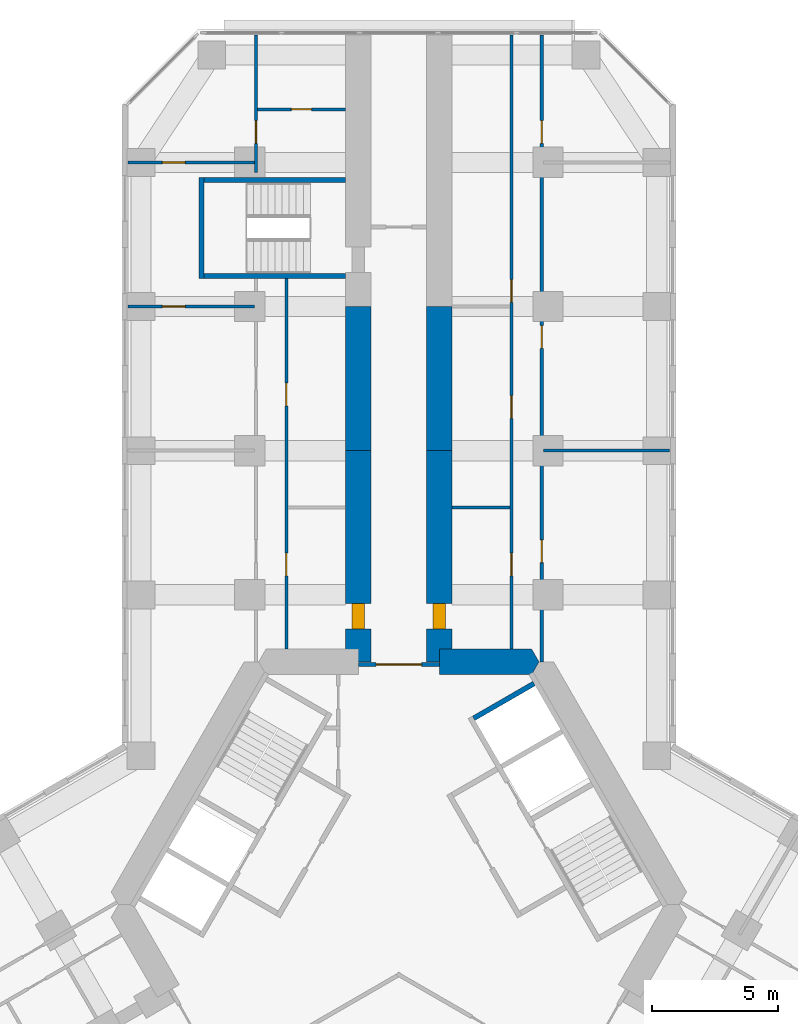
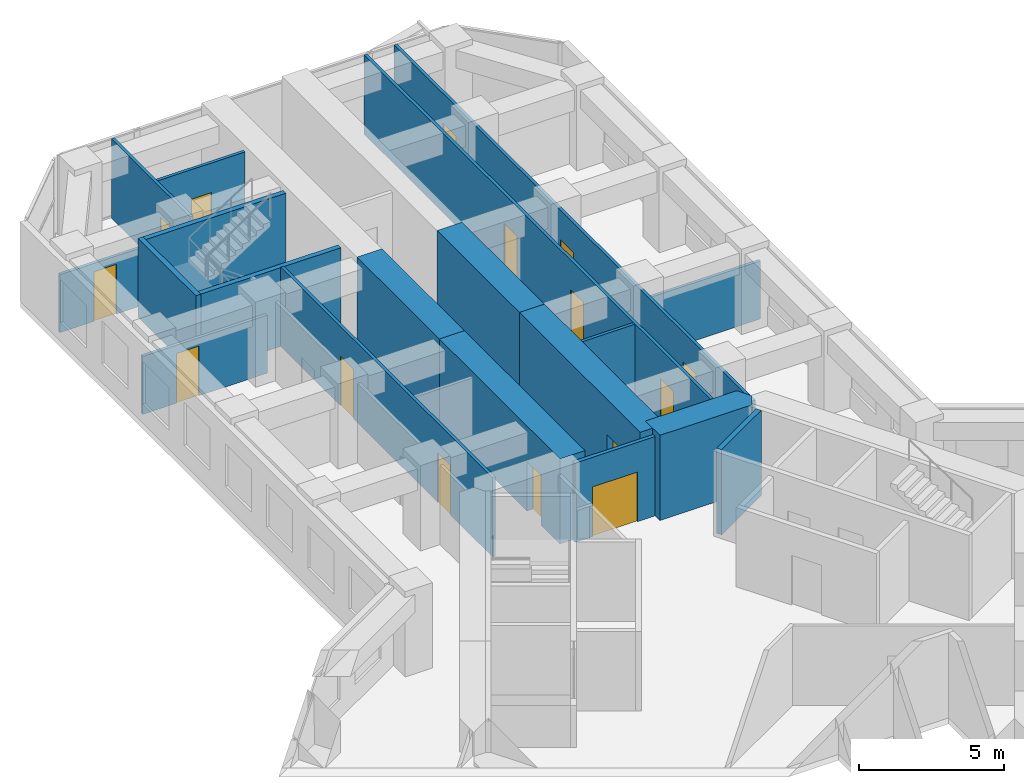
# One storey, part 15 of 18: 19 walls, 15 doors, 15 openings.
"""IFC4 building model written with IfcOpenShell, lengths in metres."""

import ifcopenshell
import ifcopenshell.guid

model = None  # the IFC model being written
_history = None  # IfcOwnerHistory: only IFC2X3 demands one
_inside = {}  # id of a spatial element -> (the spatial element, [elements in it])
_under = {}  # id of a project, library or spatial element -> (it, [spatial elements below it])
_declared = {}  # id of a project -> (the project, [libraries it declares])
_typed = {}  # id of a type object -> (the type object, [elements of that type])
_made_of = {}  # id of a material, layer set ... -> (it, [elements and type objects made of it])


def new_model(schema):
    """Start an empty IFC model of exactly this schema.

    Asked for "IFC4X3", IfcOpenShell would pick the latest addendum, in which some entities
    have other attributes; the version numbers below select the first issue.
    IFC2X3 requires an IfcOwnerHistory on every rooted entity: one is made here for all.
    """
    global model, _history
    if schema == "IFC4X3":
        model = ifcopenshell.file(schema_version=(4, 3, 0, 0))
    else:
        model = ifcopenshell.file(schema=schema)
    _inside.clear()
    _under.clear()
    _declared.clear()
    _typed.clear()
    _made_of.clear()
    _history = None
    if model.schema == "IFC2X3":
        org = make("IfcOrganization", Name="unknown")
        user = make(
            "IfcPersonAndOrganization",
            ThePerson=make("IfcPerson", FamilyName="unknown"),
            TheOrganization=org,
        )
        app = make(
            "IfcApplication",
            ApplicationDeveloper=org,
            Version="unknown",
            ApplicationFullName="unknown",
            ApplicationIdentifier="unknown",
        )
        _history = make(
            "IfcOwnerHistory",
            OwningUser=user,
            OwningApplication=app,
            ChangeAction="ADDED",
            CreationDate=0,
        )
    return model


def make(cls, **values):
    """One entity of the class cls with the attributes given. An attribute that is None is left unset."""
    return model.create_entity(
        cls, **{name: value for name, value in values.items() if value is not None}
    )


def rooted(cls, **values):
    """An entity with a GlobalId (a new one), such as an element, a storey or a relation."""
    return make(cls, GlobalId=ifcopenshell.guid.new(), OwnerHistory=_history, **values)


def si_unit(unit_type, name, prefix=None):
    """IfcSIUnit, for example si_unit("LENGTHUNIT", "METRE", prefix="MILLI")."""
    return make("IfcSIUnit", UnitType=unit_type, Prefix=prefix, Name=name)


def assignment(units):
    """IfcUnitAssignment: the units of a project."""
    return None if units is None else make("IfcUnitAssignment", Units=units)


def point(xyz):
    """IfcCartesianPoint."""
    return None if xyz is None else make("IfcCartesianPoint", Coordinates=xyz)


def direction(xyz):
    """IfcDirection."""
    return None if xyz is None else make("IfcDirection", DirectionRatios=xyz)


def frame(location, z_axis=None, x_axis=None):
    """IfcAxis2Placement3D, a coordinate frame: its origin and axes. An axis left out is left unset."""
    return make(
        "IfcAxis2Placement3D",
        Location=point(location),
        Axis=direction(z_axis),
        RefDirection=direction(x_axis),
    )


def frame_2d(location, x_axis=None):
    """IfcAxis2Placement2D, a coordinate frame in the plane: its origin and x axis."""
    return make(
        "IfcAxis2Placement2D", Location=point(location), RefDirection=direction(x_axis)
    )


def origin():
    """The frame at (0, 0, 0) with its axes left unset."""
    return frame((0.0, 0.0, 0.0))


def place(relative_to, where):
    """IfcLocalPlacement: puts the frame where relative to a parent placement (None: the world)."""
    return make(
        "IfcLocalPlacement", PlacementRelTo=relative_to, RelativePlacement=where
    )


def context(
    kind, dimensions, precision=None, world=None, true_north=None, identifier=None
):
    """IfcGeometricRepresentationContext, for example the 3D "Model" context."""
    return make(
        "IfcGeometricRepresentationContext",
        ContextIdentifier=identifier,
        ContextType=kind,
        CoordinateSpaceDimension=dimensions,
        Precision=precision,
        WorldCoordinateSystem=world,
        TrueNorth=true_north,
    )


def subcontext(parent, identifier, kind, view, scale=None):
    """IfcGeometricRepresentationSubContext, for example "Body" below "Model"."""
    return make(
        "IfcGeometricRepresentationSubContext",
        ContextIdentifier=identifier,
        ContextType=kind,
        ParentContext=parent,
        TargetScale=scale,
        TargetView=view,
    )


def project(units=None, contexts=None):
    """IfcProject with its units and contexts."""
    return rooted(
        "IfcProject",
        Name="project",
        RepresentationContexts=contexts,
        UnitsInContext=assignment(units),
    )


def spatial(cls, under=None, at=None, **own):
    """A site, building, storey or space (cls), placed at a placement, below another one or the project."""
    s = rooted(cls, ObjectPlacement=at, **own)
    if under is not None:
        _under.setdefault(under.id(), (under, []))[1].append(s)
    return s


def polyline(points):
    """IfcPolyline through the points."""
    return make("IfcPolyline", Points=[point(p) for p in points])


def profile(cls, at=None, kind="AREA", **sizes):
    """A parametric profile (cls). Its sizes go by their IFC names, for example OverallWidth=200.0."""
    return make(cls, ProfileType=kind, Position=at, **sizes)


def rectangle(**sizes):
    """IfcRectangleProfileDef."""
    return profile("IfcRectangleProfileDef", **sizes)


def outline(outer, holes=None, kind="AREA"):
    """IfcArbitraryClosedProfileDef: a profile drawn as a closed curve; with holes, ...WithVoids."""
    if holes is None:
        return make("IfcArbitraryClosedProfileDef", ProfileType=kind, OuterCurve=outer)
    return make(
        "IfcArbitraryProfileDefWithVoids",
        ProfileType=kind,
        OuterCurve=outer,
        InnerCurves=holes,
    )


def extrude(swept, where, along, depth):
    """IfcExtrudedAreaSolid: the profile swept, set in the frame where, extruded along a direction by depth."""
    return make(
        "IfcExtrudedAreaSolid",
        SweptArea=swept,
        Position=where,
        ExtrudedDirection=direction(along),
        Depth=depth,
    )


def shape(context_of_items, identifier, shape_type, items):
    """IfcShapeRepresentation: the items that make up one representation, for example the "Body"."""
    return make(
        "IfcShapeRepresentation",
        ContextOfItems=context_of_items,
        RepresentationIdentifier=identifier,
        RepresentationType=shape_type,
        Items=items,
    )


def material(Name=None, Category=None):
    """IfcMaterial."""
    return make("IfcMaterial", Name=Name, Category=Category)


def layer(
    of_material, thickness, ventilated=None, Name=None, Category=None, Priority=None
):
    """IfcMaterialLayer: one layer of a wall or slab, of a material (None: an air gap)."""
    return make(
        "IfcMaterialLayer",
        Material=of_material,
        LayerThickness=thickness,
        IsVentilated=ventilated,
        Name=Name,
        Category=Category,
        Priority=Priority,
    )


def layer_set(layers, Name=None):
    """IfcMaterialLayerSet."""
    return make("IfcMaterialLayerSet", MaterialLayers=layers, LayerSetName=Name)


def made_of(thing, what):
    """Note that an element or type object is made of a material, layer set ...; save() writes the relation."""
    if what is not None:
        _made_of.setdefault(what.id(), (what, []))[1].append(thing)
    return thing


def type_object(cls, material=None, **own):
    """A type object (cls), such as IfcWallType, which elements share."""
    return made_of(rooted(cls, **own), material)


def element(
    cls,
    number,
    at=None,
    inside=None,
    cuts=None,
    type_object=None,
    material=None,
    context=None,
    identifier="Body",
    shape_type=None,
    held_by="IfcProductDefinitionShape",
    body=None,
    shapes=None,
    **own,
):
    """One element of the class cls, such as IfcWall. Its Tag is "e" and its number.

    at: its placement. inside: the storey or other place that contains it. cuts: it is an
    opening in that element (IfcRelVoidsElement). A single representation is given by context,
    identifier, shape_type and body (its items); several are given by shapes. held_by: the class
    of the entity that holds the representations. save() writes the other relations.
    """
    e = rooted(cls, Tag="e%d" % number, ObjectPlacement=at, **own)
    if body is not None:
        shapes = [shape(context, identifier, shape_type, body)]
    if shapes is not None:
        e.Representation = make(held_by, Representations=shapes)
    if inside is not None:
        _inside.setdefault(inside.id(), (inside, []))[1].append(e)
    if cuts is not None:
        rooted(
            "IfcRelVoidsElement", RelatingBuildingElement=cuts, RelatedOpeningElement=e
        )
    if type_object is not None:
        _typed.setdefault(type_object.id(), (type_object, []))[1].append(e)
    return made_of(e, material)


def fill(opening, filler):
    """IfcRelFillsElement: the door or window that sits in an opening."""
    return rooted(
        "IfcRelFillsElement",
        RelatingOpeningElement=opening,
        RelatedBuildingElement=filler,
    )


def aggregate(whole, parts):
    """IfcRelAggregates: a whole, such as a stair, and the parts it consists of."""
    return rooted("IfcRelAggregates", RelatingObject=whole, RelatedObjects=parts)


def save(model, path):
    """Write the relations noted so far, then the file.

    IfcRelAggregates (storeys below a building ...), IfcRelContainedInSpatialStructure (elements
    in a storey), IfcRelDefinesByType, IfcRelAssociatesMaterial and IfcRelDeclares: one each for
    every whole, place, type object, material and project.
    """
    for whole, parts in _under.values():
        aggregate(whole, parts)
    for where, things in _inside.values():
        rooted(
            "IfcRelContainedInSpatialStructure",
            RelatedElements=things,
            RelatingStructure=where,
        )
    for kind, things in _typed.values():
        rooted("IfcRelDefinesByType", RelatedObjects=things, RelatingType=kind)
    for what, things in _made_of.values():
        rooted("IfcRelAssociatesMaterial", RelatedObjects=things, RelatingMaterial=what)
    for by, libraries in _declared.values():
        rooted("IfcRelDeclares", RelatingContext=by, RelatedDefinitions=libraries)
    model.write(path)


model = new_model("IFC4")

# Units and contexts
model_context = context("Model", 3, precision=1e-05, world=origin(), true_north=direction((0.0, 1.0)))
body_context = subcontext(model_context, "Body", "Model", "MODEL_VIEW")
ifc_project = project(units=[si_unit("LENGTHUNIT", "METRE"), si_unit("AREAUNIT", "SQUARE_METRE"), si_unit("VOLUMEUNIT", "CUBIC_METRE"), si_unit("PLANEANGLEUNIT", "RADIAN"), si_unit("MASSUNIT", "GRAM", prefix="KILO")], contexts=[model_context])

# Site, building, storey
site_placement = place(None, origin())
site = spatial("IfcSite", under=ifc_project, at=site_placement, CompositionType="ELEMENT")
building_placement = place(site_placement, origin())
building = spatial("IfcBuilding", under=site, at=building_placement, Name="Kosmar Iwan School Tower", CompositionType="ELEMENT")
storey_placement = place(building_placement, frame((0.0, 0.0, 25.199951171875)))
storey = spatial("IfcBuildingStorey", under=building, at=storey_placement, Name="L05", CompositionType="ELEMENT", Elevation=25.199951171875)

# Wall
ifc_material_1 = material(Name="Concrete C50/60", Category="concrete")
ifc_layer_1 = layer(ifc_material_1, 1.0)
ifc_layer_set_1 = layer_set([ifc_layer_1], Name="Core wall 1000")
wall_type_1 = type_object("IfcWallType", Name="Core wall 1000", PredefinedType="SHEAR", material=ifc_layer_set_1)
wall_1_placement = place(storey_placement, origin())
element("IfcWall", 1, at=wall_1_placement, inside=storey, type_object=wall_type_1, Name="Core wall F090a", PredefinedType="SHEAR", context=body_context, shape_type="SweptSolid", body=[
    extrude(outline(polyline([(1.60009765625, 9.10009765625), (5.25390625, 9.10009765625), (5.54248046875, 9.60009765625), (5.25390625, 10.10009765625), (1.60009765625, 10.10009765625), (1.60009765625, 9.10009765625)])), origin(), (0.0, 0.0, 1.0), 3.60009765625),
])

# Wall, opening, door
ifc_material_2 = material(Name="Concrete C50/60", Category="concrete")
ifc_layer_2 = layer(ifc_material_2, 1.0)
ifc_layer_set_2 = layer_set([ifc_layer_2], Name="Corridor buttress wall 1000")
wall_type_2 = type_object("IfcWallType", Name="Corridor buttress wall 1000", PredefinedType="SHEAR", material=ifc_layer_set_2)
wall_2_placement = place(storey_placement, frame((-1.60009765625, 9.60009765625, 0.0), z_axis=(0.0, 0.0, 1.0), x_axis=(0.0, 1.0, 0.0)))
wall_2 = element("IfcWall", 2, at=wall_2_placement, inside=storey, type_object=wall_type_2, Name="Corridor wall AL", PredefinedType="SHEAR", context=body_context, shape_type="SweptSolid", body=[
    extrude(rectangle(XDim=8.349853515625, YDim=1.0, at=frame_2d((4.1748046875, 0.0))), origin(), (0.0, 0.0, 1.0), 3.60009765625),
])
opening_1_placement = place(wall_2_placement, frame((1.300048828125, 0.0, 0.0)))
opening_1 = element("IfcOpeningElement", 3, at=opening_1_placement, cuts=wall_2, Name="Opening D1", PredefinedType="OPENING", context=body_context, shape_type="SweptSolid", body=[
    extrude(rectangle(XDim=1.0, YDim=2.10009765625, at=frame_2d((0.5, 1.050048828125))), frame((0.0, 0.511962890625, 0.0), z_axis=(0.0, -1.0, 0.0), x_axis=(1.0, 0.0, 0.0)), (0.0, 0.0, 1.0), 1.02392578125),
])
ifc_material_3 = material(Name="Timber fire door in steel frame", Category="steel")
door_type_1 = type_object("IfcDoorType", Name="Flat entrance door 1000x2100", OperationType="SINGLE_SWING_LEFT", PredefinedType="DOOR", material=ifc_material_3)
door_1_placement = place(opening_1_placement, origin())
door_1 = element("IfcDoor", 4, at=door_1_placement, inside=storey, type_object=door_type_1, Name="Flat L05-AL1 entrance door", OperationType="SINGLE_SWING_LEFT", OverallHeight=2.10009765625, OverallWidth=1.0, PredefinedType="DOOR", context=body_context, shape_type="SweptSolid", body=[
    extrude(rectangle(XDim=1.0, YDim=2.10009765625, at=frame_2d((0.5, 1.050048828125))), frame((0.0, 0.25, 0.0), z_axis=(0.0, -1.0, 0.0), x_axis=(1.0, 0.0, 0.0)), (0.0, 0.0, 1.0), 0.5),
])
fill(opening_1, door_1)

# Wall
wall_3_placement = place(storey_placement, frame((-1.60009765625, 17.949951171875, 0.0), z_axis=(0.0, 0.0, 1.0), x_axis=(0.0, 1.0, 0.0)))
element("IfcWall", 5, at=wall_3_placement, inside=storey, type_object=wall_type_2, Name="Corridor wall AL bay 2", PredefinedType="SHEAR", context=body_context, shape_type="SweptSolid", body=[
    extrude(rectangle(XDim=5.699951171875, YDim=1.0, at=frame_2d((2.85009765625, 0.0))), origin(), (0.0, 0.0, 1.0), 3.60009765625),
])

# Wall, opening, door
wall_4_placement = place(storey_placement, frame((1.60009765625, 9.60009765625, 0.0), z_axis=(0.0, 0.0, 1.0), x_axis=(0.0, 1.0, 0.0)))
wall_4 = element("IfcWall", 6, at=wall_4_placement, inside=storey, type_object=wall_type_2, Name="Corridor wall AR", PredefinedType="SHEAR", context=body_context, shape_type="SweptSolid", body=[
    extrude(rectangle(XDim=8.349853515625, YDim=1.0, at=frame_2d((4.1748046875, 0.0))), origin(), (0.0, 0.0, 1.0), 3.60009765625),
])
opening_2_placement = place(wall_4_placement, frame((1.300048828125, 0.0, 0.0)))
opening_2 = element("IfcOpeningElement", 7, at=opening_2_placement, cuts=wall_4, Name="Opening D1", PredefinedType="OPENING", context=body_context, shape_type="SweptSolid", body=[
    extrude(rectangle(XDim=1.0, YDim=2.10009765625, at=frame_2d((0.5, 1.050048828125))), frame((0.0, 0.511962890625, 0.0), z_axis=(0.0, -1.0, 0.0), x_axis=(1.0, 0.0, 0.0)), (0.0, 0.0, 1.0), 1.02392578125),
])
door_2_placement = place(opening_2_placement, origin())
door_2 = element("IfcDoor", 8, at=door_2_placement, inside=storey, type_object=door_type_1, Name="Flat L05-AR1 entrance door", OperationType="SINGLE_SWING_LEFT", OverallHeight=2.10009765625, OverallWidth=1.0, PredefinedType="DOOR", context=body_context, shape_type="SweptSolid", body=[
    extrude(rectangle(XDim=1.0, YDim=2.10009765625, at=frame_2d((0.5, 1.050048828125))), frame((0.0, 0.25, 0.0), z_axis=(0.0, -1.0, 0.0), x_axis=(1.0, 0.0, 0.0)), (0.0, 0.0, 1.0), 0.5),
])
fill(opening_2, door_2)

# Wall
wall_5_placement = place(storey_placement, frame((1.60009765625, 17.949951171875, 0.0), z_axis=(0.0, 0.0, 1.0), x_axis=(0.0, 1.0, 0.0)))
element("IfcWall", 9, at=wall_5_placement, inside=storey, type_object=wall_type_2, Name="Corridor wall AR bay 2", PredefinedType="SHEAR", context=body_context, shape_type="SweptSolid", body=[
    extrude(rectangle(XDim=5.699951171875, YDim=1.0, at=frame_2d((2.85009765625, 0.0))), origin(), (0.0, 0.0, 1.0), 3.60009765625),
])

# Wall, opening, door
ifc_material_4 = material(Name="Steel framed glazed screen", Category="steel")
ifc_layer_3 = layer(ifc_material_4, 0.14990234375)
ifc_layer_set_3 = layer_set([ifc_layer_3], Name="Corridor screen wall 150")
wall_type_3 = type_object("IfcWallType", Name="Corridor screen wall 150", PredefinedType="PARTITIONING", material=ifc_layer_set_3)
wall_6_placement = place(storey_placement, frame((1.60009765625, 9.5, 0.0), z_axis=(0.0, 0.0, 1.0), x_axis=(-1.0, 0.0, 0.0)))
wall_6 = element("IfcWall", 10, at=wall_6_placement, inside=storey, type_object=wall_type_3, Name="Corridor screen A L05", PredefinedType="PARTITIONING", context=body_context, shape_type="SweptSolid", body=[
    extrude(rectangle(XDim=3.2001953125, YDim=0.14990234375, at=frame_2d((1.60009765625, 0.0))), origin(), (0.0, 0.0, 1.0), 3.35009765625),
])
opening_3_placement = place(wall_6_placement, frame((0.699951171875, 0.0, 0.0)))
opening_3 = element("IfcOpeningElement", 11, at=opening_3_placement, cuts=wall_6, Name="Opening D9", PredefinedType="OPENING", context=body_context, shape_type="SweptSolid", body=[
    extrude(rectangle(XDim=1.800048828125, YDim=2.10009765625, at=frame_2d((0.89990234375, 1.050048828125))), frame((0.0, 0.0869140625, 0.0), z_axis=(0.0, -1.0, 0.0), x_axis=(1.0, 0.0, 0.0)), (0.0, 0.0, 1.0), 0.173828125),
])
ifc_material_5 = material(Name="Steel framed glazed smoke door", Category="steel")
door_type_2 = type_object("IfcDoorType", Name="Corridor smoke door pair 1800x2100", OperationType="DOUBLE_DOOR_DOUBLE_SWING", PredefinedType="DOOR", material=ifc_material_5)
door_3_placement = place(opening_3_placement, origin())
door_3 = element("IfcDoor", 12, at=door_3_placement, inside=storey, type_object=door_type_2, Name="Corridor doors A L05", OperationType="DOUBLE_DOOR_DOUBLE_SWING", OverallHeight=2.10009765625, OverallWidth=1.800048828125, PredefinedType="DOOR", context=body_context, shape_type="SweptSolid", body=[
    extrude(rectangle(XDim=1.800048828125, YDim=2.10009765625, at=frame_2d((0.89990234375, 1.050048828125))), frame((0.0, 0.02490234375, 0.0), z_axis=(0.0, -1.0, 0.0), x_axis=(1.0, 0.0, 0.0)), (0.0, 0.0, 1.0), 0.050048828125),
])
fill(opening_3, door_3)

# Wall, openings, doors
ifc_material_6 = material(Name="Gypsum board on steel studs", Category="steel")
ifc_layer_4 = layer(ifc_material_6, 0.1201171875)
ifc_layer_set_4 = layer_set([ifc_layer_4], Name="Dwelling partition 120")
wall_type_4 = type_object("IfcWallType", Name="Dwelling partition 120", PredefinedType="PARTITIONING", material=ifc_layer_set_4)
wall_7_placement = place(storey_placement, frame((-4.449951171875, 10.10009765625, 0.0), z_axis=(0.0, 0.0, 1.0), x_axis=(0.0, 1.0, 0.0)))
wall_7 = element("IfcWall", 13, at=wall_7_placement, inside=storey, type_object=wall_type_4, Name="Partition L05-AL1-W1", PredefinedType="PARTITIONING", context=body_context, shape_type="SweptSolid", body=[
    extrude(rectangle(XDim=14.64990234375, YDim=0.1201171875, at=frame_2d((7.324951171875, 0.0))), origin(), (0.0, 0.0, 1.0), 3.35009765625),
])
opening_4_placement = place(wall_7_placement, frame((2.89990234375, 0.0, 0.0)))
opening_4 = element("IfcOpeningElement", 14, at=opening_4_placement, cuts=wall_7, Name="Opening D2", PredefinedType="OPENING", context=body_context, shape_type="SweptSolid", body=[
    extrude(rectangle(XDim=0.89990234375, YDim=2.10009765625, at=frame_2d((0.449951171875, 1.050048828125))), frame((0.0, 0.072021484375, 0.0), z_axis=(0.0, -1.0, 0.0), x_axis=(1.0, 0.0, 0.0)), (0.0, 0.0, 1.0), 0.14404296875),
])
opening_5_placement = place(wall_7_placement, frame((9.625, 0.0, 0.0)))
opening_5 = element("IfcOpeningElement", 15, at=opening_5_placement, cuts=wall_7, Name="Opening D2", PredefinedType="OPENING", context=body_context, shape_type="SweptSolid", body=[
    extrude(rectangle(XDim=0.89990234375, YDim=2.10009765625, at=frame_2d((0.449951171875, 1.050048828125))), frame((0.0, 0.072021484375, 0.0), z_axis=(0.0, -1.0, 0.0), x_axis=(1.0, 0.0, 0.0)), (0.0, 0.0, 1.0), 0.14404296875),
])
ifc_material_7 = material(Name="Timber door in timber frame", Category="wood")
door_type_3 = type_object("IfcDoorType", Name="Internal door 900x2100", OperationType="SINGLE_SWING_LEFT", PredefinedType="DOOR", material=ifc_material_7)
door_4_placement = place(opening_4_placement, origin())
door_4 = element("IfcDoor", 16, at=door_4_placement, inside=storey, type_object=door_type_3, Name="Lounge kitchen door L05-AL1-S1", OperationType="SINGLE_SWING_LEFT", OverallHeight=2.10009765625, OverallWidth=0.89990234375, PredefinedType="DOOR", context=body_context, shape_type="SweptSolid", body=[
    extrude(rectangle(XDim=0.89990234375, YDim=2.10009765625, at=frame_2d((0.449951171875, 1.050048828125))), frame((0.0, 0.02490234375, 0.0), z_axis=(0.0, -1.0, 0.0), x_axis=(1.0, 0.0, 0.0)), (0.0, 0.0, 1.0), 0.050048828125),
])
fill(opening_4, door_4)
door_5_placement = place(opening_5_placement, origin())
door_5 = element("IfcDoor", 17, at=door_5_placement, inside=storey, type_object=door_type_3, Name="Accessible toilet door L05-AL1-S2", OperationType="SINGLE_SWING_RIGHT", OverallHeight=2.10009765625, OverallWidth=0.89990234375, PredefinedType="DOOR", context=body_context, shape_type="SweptSolid", body=[
    extrude(rectangle(XDim=0.89990234375, YDim=2.10009765625, at=frame_2d((0.449951171875, 1.050048828125))), frame((0.0, 0.02490234375, 0.0), z_axis=(0.0, -1.0, 0.0), x_axis=(1.0, 0.0, 0.0)), (0.0, 0.0, 1.0), 0.050048828125),
])
fill(opening_5, door_5)

# Wall, opening, door
wall_8_placement = place(storey_placement, frame((-5.7099609375, 23.64990234375, 0.0), z_axis=(0.0, 0.0, 1.0), x_axis=(-1.0, 0.0, 0.0)))
wall_8 = element("IfcWall", 18, at=wall_8_placement, inside=storey, type_object=wall_type_4, Name="Partition L05-AL1-TB", PredefinedType="PARTITIONING", context=body_context, shape_type="SweptSolid", body=[
    extrude(rectangle(XDim=4.989990234375, YDim=0.1201171875, at=frame_2d((2.4951171875, 0.0))), origin(), (0.0, 0.0, 1.0), 2.449951171875),
])
opening_6_placement = place(wall_8_placement, frame((2.739990234375, 0.0, 0.0)))
opening_6 = element("IfcOpeningElement", 19, at=opening_6_placement, cuts=wall_8, Name="Opening D2", PredefinedType="OPENING", context=body_context, shape_type="SweptSolid", body=[
    extrude(rectangle(XDim=0.89990234375, YDim=2.10009765625, at=frame_2d((0.449951171875, 1.050048828125))), frame((0.0, 0.072021484375, 0.0), z_axis=(0.0, -1.0, 0.0), x_axis=(1.0, 0.0, 0.0)), (0.0, 0.0, 1.0), 0.14404296875),
])
door_6_placement = place(opening_6_placement, origin())
door_6 = element("IfcDoor", 20, at=door_6_placement, inside=storey, type_object=door_type_3, Name="Children's play room door L05-AL1-F2", OperationType="SINGLE_SWING_RIGHT", OverallHeight=2.10009765625, OverallWidth=0.89990234375, PredefinedType="DOOR", context=body_context, shape_type="SweptSolid", body=[
    extrude(rectangle(XDim=0.89990234375, YDim=2.10009765625, at=frame_2d((0.449951171875, 1.050048828125))), frame((0.0, 0.02490234375, 0.0), z_axis=(0.0, -1.0, 0.0), x_axis=(1.0, 0.0, 0.0)), (0.0, 0.0, 1.0), 0.050048828125),
])
fill(opening_6, door_6)

wall_9_placement = place(storey_placement, frame((-5.7099609375, 29.35009765625, 0.0), z_axis=(0.0, 0.0, 1.0), x_axis=(-1.0, 0.0, 0.0)))
wall_9 = element("IfcWall", 21, at=wall_9_placement, inside=storey, type_object=wall_type_4, Name="Partition L05-AL1-TX", PredefinedType="PARTITIONING", context=body_context, shape_type="SweptSolid", body=[
    extrude(rectangle(XDim=4.989990234375, YDim=0.1201171875, at=frame_2d((2.4951171875, 0.0))), origin(), (0.0, 0.0, 1.0), 2.449951171875),
])
opening_7_placement = place(wall_9_placement, frame((2.739990234375, 0.0, 0.0)))
opening_7 = element("IfcOpeningElement", 22, at=opening_7_placement, cuts=wall_9, Name="Opening D2", PredefinedType="OPENING", context=body_context, shape_type="SweptSolid", body=[
    extrude(rectangle(XDim=0.89990234375, YDim=2.10009765625, at=frame_2d((0.449951171875, 1.050048828125))), frame((0.0, 0.072021484375, 0.0), z_axis=(0.0, -1.0, 0.0), x_axis=(1.0, 0.0, 0.0)), (0.0, 0.0, 1.0), 0.14404296875),
])
door_7_placement = place(opening_7_placement, origin())
door_7 = element("IfcDoor", 23, at=door_7_placement, inside=storey, type_object=door_type_3, Name="Children's play room door L05-AL1-T1", OperationType="SINGLE_SWING_RIGHT", OverallHeight=2.10009765625, OverallWidth=0.89990234375, PredefinedType="DOOR", context=body_context, shape_type="SweptSolid", body=[
    extrude(rectangle(XDim=0.89990234375, YDim=2.10009765625, at=frame_2d((0.449951171875, 1.050048828125))), frame((0.0, 0.02490234375, 0.0), z_axis=(0.0, -1.0, 0.0), x_axis=(1.0, 0.0, 0.0)), (0.0, 0.0, 1.0), 0.050048828125),
])
fill(opening_7, door_7)

wall_10_placement = place(storey_placement, frame((-5.64990234375, 28.949951171875, 0.0), z_axis=(0.0, 0.0, 1.0), x_axis=(0.0, 1.0, 0.0)))
wall_10 = element("IfcWall", 24, at=wall_10_placement, inside=storey, type_object=wall_type_4, Name="Partition L05-AL1-TW", PredefinedType="PARTITIONING", context=body_context, shape_type="SweptSolid", body=[
    extrude(rectangle(XDim=5.445068359375, YDim=0.1201171875, at=frame_2d((2.72265625, 0.0))), origin(), (0.0, 0.0, 1.0), 3.35009765625),
])
opening_8_placement = place(wall_10_placement, frame((1.14990234375, 0.0, 0.0)))
opening_8 = element("IfcOpeningElement", 25, at=opening_8_placement, cuts=wall_10, Name="Opening D2", PredefinedType="OPENING", context=body_context, shape_type="SweptSolid", body=[
    extrude(rectangle(XDim=0.89990234375, YDim=2.10009765625, at=frame_2d((0.449951171875, 1.050048828125))), frame((0.0, 0.072021484375, 0.0), z_axis=(0.0, -1.0, 0.0), x_axis=(1.0, 0.0, 0.0)), (0.0, 0.0, 1.0), 0.14404296875),
])
door_8_placement = place(opening_8_placement, origin())
door_8 = element("IfcDoor", 26, at=door_8_placement, inside=storey, type_object=door_type_3, Name="Laundry room door L05-AL1-T3", OperationType="SINGLE_SWING_LEFT", OverallHeight=2.10009765625, OverallWidth=0.89990234375, PredefinedType="DOOR", context=body_context, shape_type="SweptSolid", body=[
    extrude(rectangle(XDim=0.89990234375, YDim=2.10009765625, at=frame_2d((0.449951171875, 1.050048828125))), frame((0.0, 0.02490234375, 0.0), z_axis=(0.0, -1.0, 0.0), x_axis=(1.0, 0.0, 0.0)), (0.0, 0.0, 1.0), 0.050048828125),
])
fill(opening_8, door_8)

wall_11_placement = place(storey_placement, frame((-2.10009765625, 31.449951171875, 0.0), z_axis=(0.0, 0.0, 1.0), x_axis=(-1.0, 0.0, 0.0)))
wall_11 = element("IfcWall", 27, at=wall_11_placement, inside=storey, type_object=wall_type_4, Name="Partition L05-AL1-TY", PredefinedType="PARTITIONING", context=body_context, shape_type="SweptSolid", body=[
    extrude(rectangle(XDim=3.489990234375, YDim=0.1201171875, at=frame_2d((1.7451171875, 0.0))), origin(), (0.0, 0.0, 1.0), 3.35009765625),
])
opening_9_placement = place(wall_11_placement, frame((1.344970703125, 0.0, 0.0)))
opening_9 = element("IfcOpeningElement", 28, at=opening_9_placement, cuts=wall_11, Name="Opening D3", PredefinedType="OPENING", context=body_context, shape_type="SweptSolid", body=[
    extrude(rectangle(XDim=0.800048828125, YDim=2.10009765625, at=frame_2d((0.39990234375, 1.050048828125))), frame((0.0, 0.072021484375, 0.0), z_axis=(0.0, -1.0, 0.0), x_axis=(1.0, 0.0, 0.0)), (0.0, 0.0, 1.0), 0.14404296875),
])
ifc_material_8 = material(Name="Timber door in timber frame", Category="wood")
door_type_4 = type_object("IfcDoorType", Name="Sanitary room door 800x2100", OperationType="SINGLE_SWING_LEFT", PredefinedType="DOOR", material=ifc_material_8)
door_9_placement = place(opening_9_placement, origin())
door_9 = element("IfcDoor", 29, at=door_9_placement, inside=storey, type_object=door_type_4, Name="Garden store door L05-AL1-T4", OperationType="SINGLE_SWING_RIGHT", OverallHeight=2.10009765625, OverallWidth=0.800048828125, PredefinedType="DOOR", context=body_context, shape_type="SweptSolid", body=[
    extrude(rectangle(XDim=0.800048828125, YDim=2.10009765625, at=frame_2d((0.39990234375, 1.050048828125))), frame((0.0, 0.02490234375, 0.0), z_axis=(0.0, -1.0, 0.0), x_axis=(1.0, 0.0, 0.0)), (0.0, 0.0, 1.0), 0.050048828125),
])
fill(opening_9, door_9)

# Wall, openings, doors
wall_12_placement = place(storey_placement, frame((4.449951171875, 10.10009765625, 0.0), z_axis=(0.0, 0.0, 1.0), x_axis=(0.0, 1.0, 0.0)))
wall_12 = element("IfcWall", 30, at=wall_12_placement, inside=storey, type_object=wall_type_4, Name="Partition L05-AR1-W1", PredefinedType="PARTITIONING", context=body_context, shape_type="SweptSolid", body=[
    extrude(rectangle(XDim=24.294921875, YDim=0.1201171875, at=frame_2d((12.1474609375, 0.0))), origin(), (0.0, 0.0, 1.0), 3.35009765625),
])
opening_10_placement = place(wall_12_placement, frame((2.89990234375, 0.0, 0.0)))
opening_10 = element("IfcOpeningElement", 31, at=opening_10_placement, cuts=wall_12, Name="Opening D2", PredefinedType="OPENING", context=body_context, shape_type="SweptSolid", body=[
    extrude(rectangle(XDim=0.89990234375, YDim=2.10009765625, at=frame_2d((0.449951171875, 1.050048828125))), frame((0.0, 0.072021484375, 0.0), z_axis=(0.0, -1.0, 0.0), x_axis=(1.0, 0.0, 0.0)), (0.0, 0.0, 1.0), 0.14404296875),
])
opening_11_placement = place(wall_12_placement, frame((9.125, 0.0, 0.0)))
opening_11 = element("IfcOpeningElement", 32, at=opening_11_placement, cuts=wall_12, Name="Opening D2", PredefinedType="OPENING", context=body_context, shape_type="SweptSolid", body=[
    extrude(rectangle(XDim=0.89990234375, YDim=2.10009765625, at=frame_2d((0.449951171875, 1.050048828125))), frame((0.0, 0.072021484375, 0.0), z_axis=(0.0, -1.0, 0.0), x_axis=(1.0, 0.0, 0.0)), (0.0, 0.0, 1.0), 0.14404296875),
])
opening_12_placement = place(wall_12_placement, frame((13.7099609375, 0.0, 0.0)))
opening_12 = element("IfcOpeningElement", 33, at=opening_12_placement, cuts=wall_12, Name="Opening D2", PredefinedType="OPENING", context=body_context, shape_type="SweptSolid", body=[
    extrude(rectangle(XDim=0.89990234375, YDim=2.10009765625, at=frame_2d((0.449951171875, 1.050048828125))), frame((0.0, 0.072021484375, 0.0), z_axis=(0.0, -1.0, 0.0), x_axis=(1.0, 0.0, 0.0)), (0.0, 0.0, 1.0), 0.14404296875),
])
door_10_placement = place(opening_10_placement, origin())
door_10 = element("IfcDoor", 34, at=door_10_placement, inside=storey, type_object=door_type_3, Name="Lounge kitchen door L05-AR1-S1", OperationType="SINGLE_SWING_RIGHT", OverallHeight=2.10009765625, OverallWidth=0.89990234375, PredefinedType="DOOR", context=body_context, shape_type="SweptSolid", body=[
    extrude(rectangle(XDim=0.89990234375, YDim=2.10009765625, at=frame_2d((0.449951171875, 1.050048828125))), frame((0.0, 0.02490234375, 0.0), z_axis=(0.0, -1.0, 0.0), x_axis=(1.0, 0.0, 0.0)), (0.0, 0.0, 1.0), 0.050048828125),
])
fill(opening_10, door_10)
door_11_placement = place(opening_11_placement, origin())
door_11 = element("IfcDoor", 35, at=door_11_placement, inside=storey, type_object=door_type_3, Name="Accessible toilet door L05-AR1-S2", OperationType="SINGLE_SWING_RIGHT", OverallHeight=2.10009765625, OverallWidth=0.89990234375, PredefinedType="DOOR", context=body_context, shape_type="SweptSolid", body=[
    extrude(rectangle(XDim=0.89990234375, YDim=2.10009765625, at=frame_2d((0.449951171875, 1.050048828125))), frame((0.0, 0.02490234375, 0.0), z_axis=(0.0, -1.0, 0.0), x_axis=(1.0, 0.0, 0.0)), (0.0, 0.0, 1.0), 0.050048828125),
])
fill(opening_11, door_11)
door_12_placement = place(opening_12_placement, origin())
door_12 = element("IfcDoor", 36, at=door_12_placement, inside=storey, type_object=door_type_3, Name="Laundry room door L05-AR1-S3", OperationType="SINGLE_SWING_LEFT", OverallHeight=2.10009765625, OverallWidth=0.89990234375, PredefinedType="DOOR", context=body_context, shape_type="SweptSolid", body=[
    extrude(rectangle(XDim=0.89990234375, YDim=2.10009765625, at=frame_2d((0.449951171875, 1.050048828125))), frame((0.0, 0.02490234375, 0.0), z_axis=(0.0, -1.0, 0.0), x_axis=(1.0, 0.0, 0.0)), (0.0, 0.0, 1.0), 0.050048828125),
])
fill(opening_12, door_12)

wall_13_placement = place(storey_placement, frame((5.64990234375, 9.60009765625, 0.0), z_axis=(0.0, 0.0, 1.0), x_axis=(0.0, 1.0, 0.0)))
wall_13 = element("IfcWall", 37, at=wall_13_placement, inside=storey, type_object=wall_type_4, Name="Partition L05-AR1-W2", PredefinedType="PARTITIONING", context=body_context, shape_type="SweptSolid", body=[
    extrude(rectangle(XDim=24.794921875, YDim=0.1201171875, at=frame_2d((12.3974609375, 0.0))), origin(), (0.0, 0.0, 1.0), 3.35009765625),
])
opening_13_placement = place(wall_13_placement, frame((3.925048828125, 0.0, 0.0)))
opening_13 = element("IfcOpeningElement", 38, at=opening_13_placement, cuts=wall_13, Name="Opening D2", PredefinedType="OPENING", context=body_context, shape_type="SweptSolid", body=[
    extrude(rectangle(XDim=0.89990234375, YDim=2.10009765625, at=frame_2d((0.449951171875, 1.050048828125))), frame((0.0, 0.072021484375, 0.0), z_axis=(0.0, -1.0, 0.0), x_axis=(1.0, 0.0, 0.0)), (0.0, 0.0, 1.0), 0.14404296875),
])
opening_14_placement = place(wall_13_placement, frame((12.39990234375, 0.0, 0.0)))
opening_14 = element("IfcOpeningElement", 39, at=opening_14_placement, cuts=wall_13, Name="Opening D2", PredefinedType="OPENING", context=body_context, shape_type="SweptSolid", body=[
    extrude(rectangle(XDim=0.89990234375, YDim=2.10009765625, at=frame_2d((0.449951171875, 1.050048828125))), frame((0.0, 0.072021484375, 0.0), z_axis=(0.0, -1.0, 0.0), x_axis=(1.0, 0.0, 0.0)), (0.0, 0.0, 1.0), 0.14404296875),
])
opening_15_placement = place(wall_13_placement, frame((20.5, 0.0, 0.0)))
opening_15 = element("IfcOpeningElement", 40, at=opening_15_placement, cuts=wall_13, Name="Opening D2", PredefinedType="OPENING", context=body_context, shape_type="SweptSolid", body=[
    extrude(rectangle(XDim=0.89990234375, YDim=2.10009765625, at=frame_2d((0.449951171875, 1.050048828125))), frame((0.0, 0.072021484375, 0.0), z_axis=(0.0, -1.0, 0.0), x_axis=(1.0, 0.0, 0.0)), (0.0, 0.0, 1.0), 0.14404296875),
])
door_13_placement = place(opening_13_placement, origin())
door_13 = element("IfcDoor", 41, at=door_13_placement, inside=storey, type_object=door_type_3, Name="Residents' lounge door L05-AR1-F1", OperationType="SINGLE_SWING_LEFT", OverallHeight=2.10009765625, OverallWidth=0.89990234375, PredefinedType="DOOR", context=body_context, shape_type="SweptSolid", body=[
    extrude(rectangle(XDim=0.89990234375, YDim=2.10009765625, at=frame_2d((0.449951171875, 1.050048828125))), frame((0.0, 0.02490234375, 0.0), z_axis=(0.0, -1.0, 0.0), x_axis=(1.0, 0.0, 0.0)), (0.0, 0.0, 1.0), 0.050048828125),
])
fill(opening_13, door_13)
door_14_placement = place(opening_14_placement, origin())
door_14 = element("IfcDoor", 42, at=door_14_placement, inside=storey, type_object=door_type_3, Name="Children's play room door L05-AR1-F2", OperationType="SINGLE_SWING_RIGHT", OverallHeight=2.10009765625, OverallWidth=0.89990234375, PredefinedType="DOOR", context=body_context, shape_type="SweptSolid", body=[
    extrude(rectangle(XDim=0.89990234375, YDim=2.10009765625, at=frame_2d((0.449951171875, 1.050048828125))), frame((0.0, 0.02490234375, 0.0), z_axis=(0.0, -1.0, 0.0), x_axis=(1.0, 0.0, 0.0)), (0.0, 0.0, 1.0), 0.050048828125),
])
fill(opening_14, door_14)
door_15_placement = place(opening_15_placement, origin())
door_15 = element("IfcDoor", 43, at=door_15_placement, inside=storey, type_object=door_type_3, Name="Fitness room door L05-AR1-F3", OperationType="SINGLE_SWING_RIGHT", OverallHeight=2.10009765625, OverallWidth=0.89990234375, PredefinedType="DOOR", context=body_context, shape_type="SweptSolid", body=[
    extrude(rectangle(XDim=0.89990234375, YDim=2.10009765625, at=frame_2d((0.449951171875, 1.050048828125))), frame((0.0, 0.02490234375, 0.0), z_axis=(0.0, -1.0, 0.0), x_axis=(1.0, 0.0, 0.0)), (0.0, 0.0, 1.0), 0.050048828125),
])
fill(opening_15, door_15)

# Walls
wall_14_placement = place(storey_placement, frame((5.7099609375, 17.949951171875, 0.0), z_axis=(0.0, 0.0, 1.0), x_axis=(1.0, 0.0, 0.0)))
element("IfcWall", 44, at=wall_14_placement, inside=storey, type_object=wall_type_4, Name="Partition L05-AR1-X1", PredefinedType="PARTITIONING", context=body_context, shape_type="SweptSolid", body=[
    extrude(rectangle(XDim=4.989990234375, YDim=0.1201171875, at=frame_2d((2.4951171875, 0.0))), origin(), (0.0, 0.0, 1.0), 2.449951171875),
])
wall_15_placement = place(storey_placement, frame((2.10009765625, 15.699951171875, 0.0), z_axis=(0.0, 0.0, 1.0), x_axis=(1.0, 0.0, 0.0)))
element("IfcWall", 45, at=wall_15_placement, inside=storey, type_object=wall_type_4, Name="Partition L05-AR1-Y1", PredefinedType="PARTITIONING", context=body_context, shape_type="SweptSolid", body=[
    extrude(rectangle(XDim=2.289794921875, YDim=0.1201171875, at=frame_2d((1.14501953125, 0.0))), origin(), (0.0, 0.0, 1.0), 3.35009765625),
])
ifc_material_9 = material(Name="Concrete C35/45", Category="concrete")
ifc_layer_5 = layer(ifc_material_9, 0.199951171875)
ifc_layer_set_5 = layer_set([ifc_layer_5], Name="Escape stair wall 200")
wall_type_5 = type_object("IfcWallType", Name="Escape stair wall 200", PredefinedType="SHEAR", material=ifc_layer_set_5)
for number, where, z_axis, x_axis, name in (
    (46, (-2.10009765625, 24.85009765625, 0.0), (0.0, 0.0, 1.0), (-1.0, 0.0, 0.0), "Stair WS1 wall"),
    (47, (-2.10009765625, 28.64990234375, 0.0), (0.0, 0.0, 1.0), (-1.0, 0.0, 0.0), "Stair WS1 wall"),
):
    element("IfcWall", number, at=place(storey_placement, frame(where, z_axis=z_axis, x_axis=x_axis)), inside=storey, type_object=wall_type_5, Name=name, PredefinedType="SHEAR", context=body_context, shape_type="SweptSolid", body=[
        extrude(rectangle(XDim=5.7998046875, YDim=0.199951171875, at=frame_2d((2.89990234375, 0.0))), origin(), (0.0, 0.0, 1.0), 3.330078125),
    ])
wall_16_placement = place(storey_placement, frame((-7.800048828125, 24.75, 0.0), z_axis=(0.0, 0.0, 1.0), x_axis=(0.0, 1.0, 0.0)))
element("IfcWall", 48, at=wall_16_placement, inside=storey, type_object=wall_type_5, Name="Stair WS1 wall", PredefinedType="SHEAR", context=body_context, shape_type="SweptSolid", body=[
    extrude(rectangle(XDim=4.0, YDim=0.199951171875, at=frame_2d((2.0, 0.0))), origin(), (0.0, 0.0, 1.0), 3.330078125),
])
ifc_material_10 = material(Name="Concrete C50/60", Category="concrete")
ifc_layer_6 = layer(ifc_material_10, 0.199951171875)
ifc_layer_set_6 = layer_set([ifc_layer_6], Name="Lift shaft wall 200")
wall_type_6 = type_object("IfcWallType", Name="Lift shaft wall 200", PredefinedType="SHEAR", material=ifc_layer_set_6)
wall_17_placement = place(storey_placement, frame((2.962646484375, 7.368408203125, 0.0), z_axis=(0.0, 0.0, 1.0), x_axis=(0.866027397988, 0.499996545922, 0.0)))
element("IfcWall", 49, at=wall_17_placement, inside=storey, type_object=wall_type_6, Name="Lift shaft wall AC 2", PredefinedType="SHEAR", context=body_context, shape_type="SweptSolid", body=[
    extrude(rectangle(XDim=2.75, YDim=0.199951171875, at=frame_2d((1.375, 0.0))), origin(), (0.0, 0.0, 1.0), 3.60009765625),
])

save(model, "model.ifc")
